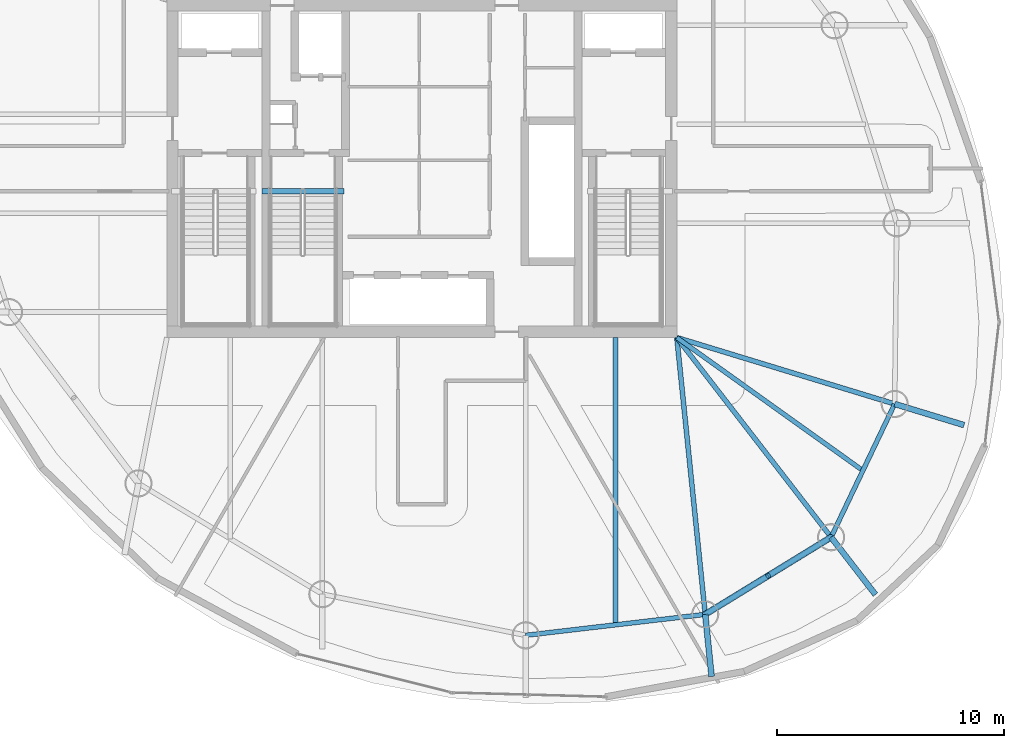
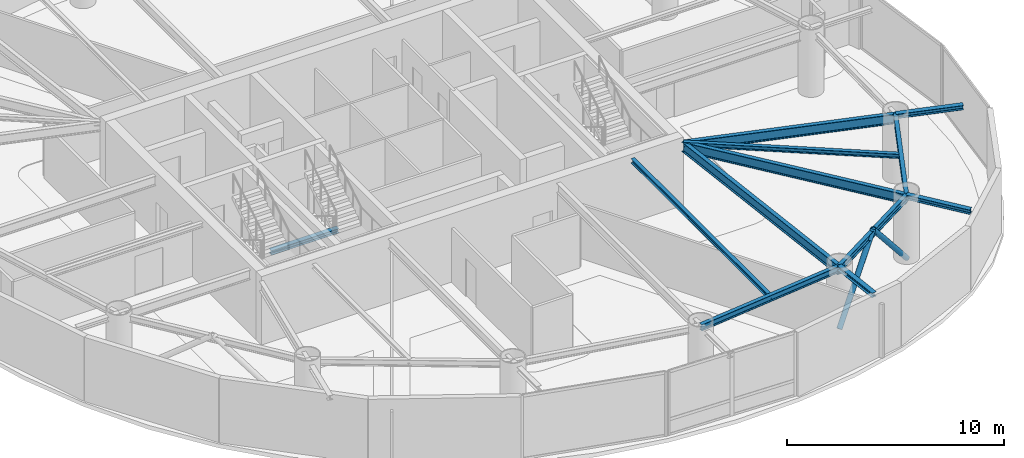
# One storey, part 6 of 20: 12 beams, 2 members.
"""IFC4 building model written with IfcOpenShell, lengths in metres."""

from ifc_helpers import new_model, si_unit, direction, frame, origin, origin_2d, place, context, subcontext, project, spatial, hollow_circle, i_section, extrude, material, material_profile, profile_set, type_object, element, save


model = new_model("IFC4")

# Units and contexts
model_context = context("Model", 3, precision=1e-05, world=origin(), true_north=direction((0.0, 1.0)))
body_context = subcontext(model_context, "Body", "Model", "MODEL_VIEW")
ifc_project = project(units=[si_unit("LENGTHUNIT", "METRE"), si_unit("AREAUNIT", "SQUARE_METRE"), si_unit("VOLUMEUNIT", "CUBIC_METRE"), si_unit("PLANEANGLEUNIT", "RADIAN"), si_unit("MASSUNIT", "GRAM", prefix="KILO")], contexts=[model_context])

# Site, building, storey
site_placement = place(None, origin())
site = spatial("IfcSite", under=ifc_project, at=site_placement, CompositionType="ELEMENT")
building_placement = place(site_placement, origin())
building = spatial("IfcBuilding", under=site, at=building_placement, Name="Bramvorn Convention Spire", CompositionType="ELEMENT")
storey_placement = place(building_placement, frame((0.0, 0.0, 175.050048828125)))
storey = spatial("IfcBuildingStorey", under=building, at=storey_placement, Name="L44", CompositionType="ELEMENT", Elevation=175.050048828125)

# Beams
ifc_material = material(Name="Steel CSA G40.21 Grade 350 (350W)", Category="steel")
ifc_material_profile_1 = material_profile(ifc_material, i_section(OverallWidth=0.201904296875, OverallDepth=0.2470703125, WebThickness=0.00732421875, FlangeThickness=0.010986328125, FilletRadius=0.011962890625, at=origin_2d()))
ifc_profile_set_1 = profile_set([ifc_material_profile_1], Name="Steel CSA G40.21 Grade 350 (350W) - W250X49")
beam_type_1 = type_object("IfcBeamType", Name="BM-W250X49", PredefinedType="JOIST", material=ifc_profile_set_1)
beam_1_placement = place(storey_placement, frame((49.25, 18.550048828125, 3.496337890625), z_axis=(0.813471895271, -0.581604225916, 0.0), x_axis=(0.581604225916, 0.813471895271, 0.0)))
element("IfcBeam", 1, at=beam_1_placement, inside=storey, type_object=beam_type_1, Name="L44 composite floor joist 01", PredefinedType="JOIST", context=body_context, shape_type="SweptSolid", body=[
    extrude(i_section(OverallWidth=0.201904296875, OverallDepth=0.2470703125, WebThickness=0.00732421875, FlangeThickness=0.010986328125, FilletRadius=0.011962890625, at=origin_2d()), origin(), (0.0, 0.0, 1.0), 10.093505859375),
])
beam_2_placement = place(storey_placement, frame((46.544189453125, 18.550048828125, 3.496337890625), z_axis=(0.0, -1.0, 0.0), x_axis=(1.0, 0.0, 0.0)))
element("IfcBeam", 2, at=beam_2_placement, inside=storey, type_object=beam_type_1, Name="L44 composite floor joist 15", PredefinedType="JOIST", context=body_context, shape_type="SweptSolid", body=[
    extrude(i_section(OverallWidth=0.201904296875, OverallDepth=0.2470703125, WebThickness=0.00732421875, FlangeThickness=0.010986328125, FilletRadius=0.011962890625, at=origin_2d()), origin(), (0.0, 0.0, 1.0), 12.67626953125),
])
ifc_material_profile_2 = material_profile(ifc_material, i_section(OverallWidth=0.25390625, OverallDepth=0.2529296875, WebThickness=0.008544921875, FlangeThickness=0.01416015625, FilletRadius=0.011962890625, at=origin_2d()))
ifc_profile_set_2 = profile_set([ifc_material_profile_2], Name="Steel CSA G40.21 Grade 350 (350W) - W250X73")
beam_type_2 = type_object("IfcBeamType", Name="BM-W250X73", PredefinedType="BEAM", material=ifc_profile_set_2)
beam_3_placement = place(storey_placement, frame((56.058349609375, 9.739990234375, 3.493408203125), z_axis=(0.611497441422, -0.791246408607, 0.0), x_axis=(0.791246408607, 0.611497441422, 0.0)))
element("IfcBeam", 3, at=beam_3_placement, inside=storey, type_object=beam_type_2, Name="L44 slab-edge cantilever tip beam MC01", PredefinedType="BEAM", context=body_context, shape_type="SweptSolid", body=[
    extrude(i_section(OverallWidth=0.25390625, OverallDepth=0.2529296875, WebThickness=0.008544921875, FlangeThickness=0.01416015625, FilletRadius=0.011962890625, at=origin_2d()), origin(), (0.0, 0.0, 1.0), 3.199951171875),
])
beam_4_placement = place(storey_placement, frame((58.863037109375, 15.619384765625, 3.493408203125), z_axis=(0.956544433432, -0.291586602694, 0.0), x_axis=(0.291586602694, 0.956544433432, 0.0)))
element("IfcBeam", 4, at=beam_4_placement, inside=storey, type_object=beam_type_2, Name="L44 slab-edge cantilever tip beam MC02", PredefinedType="BEAM", context=body_context, shape_type="SweptSolid", body=[
    extrude(i_section(OverallWidth=0.25390625, OverallDepth=0.2529296875, WebThickness=0.008544921875, FlangeThickness=0.01416015625, FilletRadius=0.011962890625, at=origin_2d()), origin(), (0.0, 0.0, 1.0), 3.2001953125),
])
beam_5_placement = place(storey_placement, frame((50.50439453125, 6.336181640625, 3.493408203125), z_axis=(0.102197543862, -0.994764123815, 0.0), x_axis=(0.994764123815, 0.102197543862, 0.0)))
element("IfcBeam", 5, at=beam_5_placement, inside=storey, type_object=beam_type_2, Name="L44 slab-edge cantilever tip beam MC16", PredefinedType="BEAM", context=body_context, shape_type="SweptSolid", body=[
    extrude(i_section(OverallWidth=0.25390625, OverallDepth=0.2529296875, WebThickness=0.008544921875, FlangeThickness=0.01416015625, FilletRadius=0.011962890625, at=origin_2d()), origin(), (0.0, 0.0, 1.0), 2.75439453125),
])
beam_6_placement = place(storey_placement, frame((30.949951171875, 25.010009765625, -0.12646484375), z_axis=(1.0, 0.0, 0.0), x_axis=(0.0, 1.0, 0.0)))
element("IfcBeam", 6, at=beam_6_placement, inside=storey, type_object=beam_type_2, Name="L44 ST3 stair arrival header beam", PredefinedType="BEAM", context=body_context, shape_type="SweptSolid", body=[
    extrude(i_section(OverallWidth=0.25390625, OverallDepth=0.2529296875, WebThickness=0.008544921875, FlangeThickness=0.01416015625, FilletRadius=0.011962890625, at=origin_2d()), origin(), (0.0, 0.0, 1.0), 3.610107421875),
])
ifc_material_profile_3 = material_profile(ifc_material, i_section(OverallWidth=0.205078125, OverallDepth=0.35400390625, WebThickness=0.009521484375, FlangeThickness=0.016845703125, FilletRadius=0.014892578125, at=origin_2d()))
ifc_profile_set_3 = profile_set([ifc_material_profile_3], Name="Steel CSA G40.21 Grade 350 (350W) - W360X79")
beam_type_3 = type_object("IfcBeamType", Name="BM-W360X79", PredefinedType="JOIST", material=ifc_profile_set_3)
beam_7_placement = place(storey_placement, frame((56.058349609375, 9.739990234375, 3.44287109375), z_axis=(0.430556138422, 0.902563799223, 0.0), x_axis=(-0.902563799223, 0.430556138422, 0.0)))
element("IfcBeam", 7, at=beam_7_placement, inside=storey, type_object=beam_type_3, Name="L44 mega-column ring beam 01", PredefinedType="JOIST", context=body_context, shape_type="SweptSolid", body=[
    extrude(i_section(OverallWidth=0.205078125, OverallDepth=0.35400390625, WebThickness=0.009521484375, FlangeThickness=0.016845703125, FilletRadius=0.014892578125, at=origin_2d()), origin(), (0.0, 0.0, 1.0), 6.51416015625),
])
beam_8_placement = place(storey_placement, frame((42.583740234375, 5.41162109375, 3.44287109375), z_axis=(0.993256148339, 0.115940604561, 0.0), x_axis=(-0.115940604561, 0.993256148339, 0.0)))
element("IfcBeam", 8, at=beam_8_placement, inside=storey, type_object=beam_type_3, Name="L44 mega-column ring beam 15", PredefinedType="JOIST", context=body_context, shape_type="SweptSolid", body=[
    extrude(i_section(OverallWidth=0.205078125, OverallDepth=0.35400390625, WebThickness=0.009521484375, FlangeThickness=0.016845703125, FilletRadius=0.014892578125, at=origin_2d()), origin(), (0.0, 0.0, 1.0), 7.974365234375),
])
beam_9_placement = place(storey_placement, frame((50.50439453125, 6.336181640625, 3.44287109375), z_axis=(0.852616873135, 0.522536570629, 0.0), x_axis=(-0.522536570629, 0.852616873135, 0.0)))
element("IfcBeam", 9, at=beam_9_placement, inside=storey, type_object=beam_type_3, Name="L44 mega-column ring beam 16", PredefinedType="JOIST", context=body_context, shape_type="SweptSolid", body=[
    extrude(i_section(OverallWidth=0.205078125, OverallDepth=0.35400390625, WebThickness=0.009521484375, FlangeThickness=0.016845703125, FilletRadius=0.014892578125, at=origin_2d()), origin(), (0.0, 0.0, 1.0), 6.513916015625),
])
ifc_material_profile_4 = material_profile(ifc_material, i_section(OverallWidth=0.2119140625, OverallDepth=0.5439453125, WebThickness=0.01318359375, FlangeThickness=0.021240234375, FilletRadius=0.01904296875, at=origin_2d()))
ifc_profile_set_4 = profile_set([ifc_material_profile_4], Name="Steel CSA G40.21 Grade 350 (350W) - W530X123")
beam_type_4 = type_object("IfcBeamType", Name="BM-W530X123", PredefinedType="BEAM", material=ifc_profile_set_4)
beam_10_placement = place(storey_placement, frame((49.25, 18.550048828125, 3.347900390625), z_axis=(0.611479951477, -0.791259925019, 0.0), x_axis=(0.791259925019, 0.611479951477, 0.0)))
element("IfcBeam", 10, at=beam_10_placement, inside=storey, type_object=beam_type_4, Name="L44 radial floor girder MC01", PredefinedType="BEAM", context=body_context, shape_type="SweptSolid", body=[
    extrude(i_section(OverallWidth=0.2119140625, OverallDepth=0.5439453125, WebThickness=0.01318359375, FlangeThickness=0.021240234375, FilletRadius=0.01904296875, at=origin_2d()), origin(), (0.0, 0.0, 1.0), 11.13427734375),
])
beam_11_placement = place(storey_placement, frame((49.25, 18.550048828125, 3.347900390625), z_axis=(0.95653637984, -0.291613021044, 0.0), x_axis=(0.291613021044, 0.95653637984, 0.0)))
element("IfcBeam", 11, at=beam_11_placement, inside=storey, type_object=beam_type_4, Name="L44 radial floor girder MC02", PredefinedType="BEAM", context=body_context, shape_type="SweptSolid", body=[
    extrude(i_section(OverallWidth=0.2119140625, OverallDepth=0.5439453125, WebThickness=0.01318359375, FlangeThickness=0.021240234375, FilletRadius=0.01904296875, at=origin_2d()), origin(), (0.0, 0.0, 1.0), 10.0498046875),
])
beam_12_placement = place(storey_placement, frame((49.25, 18.550048828125, 3.347900390625), z_axis=(0.10216509146, -0.994767457292, 0.0), x_axis=(0.994767457292, 0.10216509146, 0.0)))
element("IfcBeam", 12, at=beam_12_placement, inside=storey, type_object=beam_type_4, Name="L44 radial floor girder MC16", PredefinedType="BEAM", context=body_context, shape_type="SweptSolid", body=[
    extrude(i_section(OverallWidth=0.2119140625, OverallDepth=0.5439453125, WebThickness=0.01318359375, FlangeThickness=0.021240234375, FilletRadius=0.01904296875, at=origin_2d()), origin(), (0.0, 0.0, 1.0), 12.278076171875),
])

# Members
ifc_material_profile_5 = material_profile(ifc_material, hollow_circle(Radius=0.136474609375, WallThickness=0.0126953125, at=origin_2d()))
ifc_profile_set_5 = profile_set([ifc_material_profile_5], Name="Steel CSA G40.21 Grade 350 (350W) - CHS273X13")
member_type = type_object("IfcMemberType", Name="MBR-CHS273X13", PredefinedType="BRACE", material=ifc_profile_set_5)
member_1_placement = place(storey_placement, frame((50.50439453125, 6.336181640625, 0.0), z_axis=(0.570302340607, 0.349501328912, 0.743373433334), x_axis=(-0.522519873149, 0.852627106163, 0.0)))
element("IfcMember", 13, at=member_1_placement, inside=storey, type_object=member_type, Name="L44 perimeter Gothic lancet brace 16A", PredefinedType="BRACE", context=body_context, shape_type="SweptSolid", body=[
    extrude(hollow_circle(Radius=0.136474609375, WallThickness=0.0126953125, at=origin_2d()), origin(), (0.0, 0.0, 1.0), 4.86962890625),
])
member_2_placement = place(storey_placement, frame((56.058349609375, 9.739990234375, 0.0), z_axis=(-0.57026850931, -0.349511322174, 0.743394688548), x_axis=(0.522553268977, -0.852606639126, 0.0)))
element("IfcMember", 14, at=member_2_placement, inside=storey, type_object=member_type, Name="L44 perimeter Gothic lancet brace 16B", PredefinedType="BRACE", context=body_context, shape_type="SweptSolid", body=[
    extrude(hollow_circle(Radius=0.136474609375, WallThickness=0.0126953125, at=origin_2d()), origin(), (0.0, 0.0, 1.0), 4.869384765625),
])

save(model, "model.ifc")
